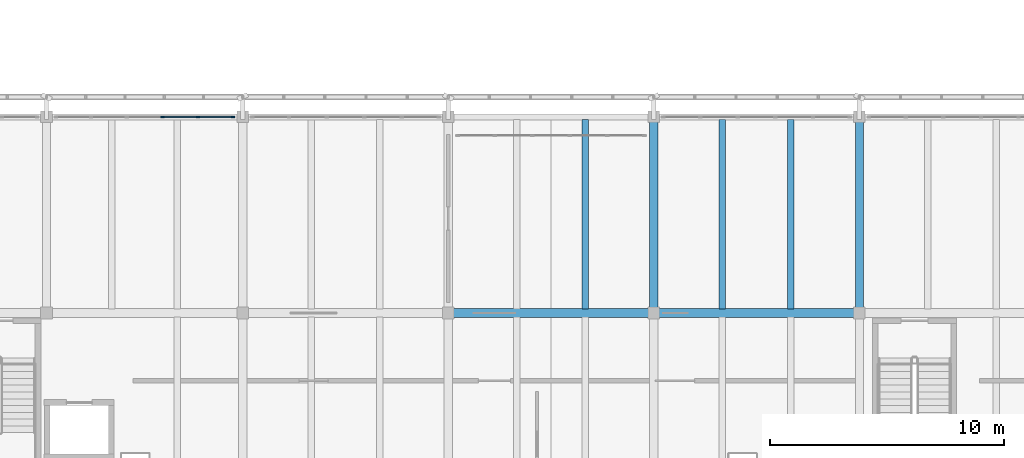
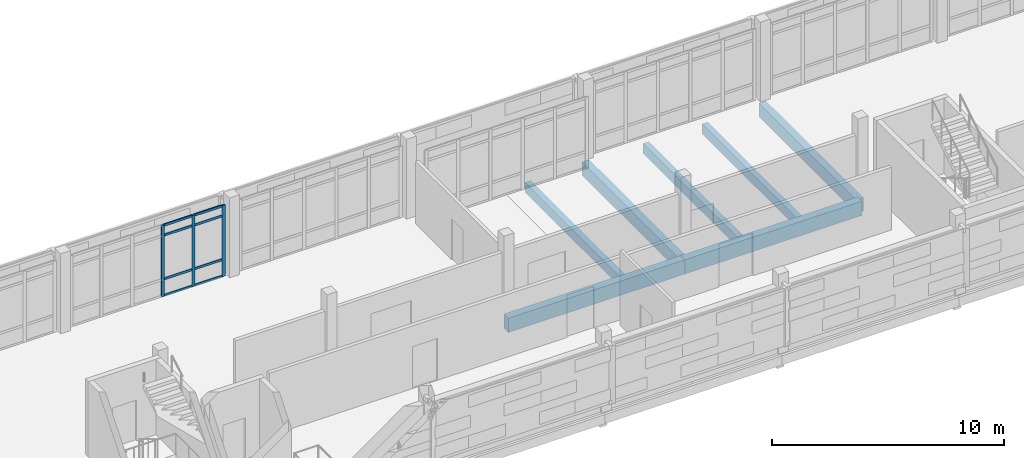
# One storey, part 28 of 137: 11 members, 7 beams, 1 element without a shape of its own.
"""IFC4 building model written with IfcOpenShell, lengths in metres."""

from ifc_helpers import new_model, si_unit, direction, frame, origin, origin_2d, place, context, subcontext, project, spatial, rectangle, extrude, material, material_profile, profile_set, type_object, element, aggregate, save


model = new_model("IFC4")

# Units and contexts
model_context = context("Model", 3, precision=1e-05, world=origin(), true_north=direction((0.0, 1.0)))
body_context = subcontext(model_context, "Body", "Model", "MODEL_VIEW")
ifc_project = project(units=[si_unit("LENGTHUNIT", "METRE"), si_unit("AREAUNIT", "SQUARE_METRE"), si_unit("VOLUMEUNIT", "CUBIC_METRE"), si_unit("PLANEANGLEUNIT", "RADIAN"), si_unit("MASSUNIT", "GRAM", prefix="KILO")], contexts=[model_context])

# Site, building, storey
site_placement = place(None, origin())
site = spatial("IfcSite", under=ifc_project, at=site_placement, CompositionType="ELEMENT")
building_placement = place(site_placement, origin())
building = spatial("IfcBuilding", under=site, at=building_placement, Name="Cinderway Yard Community Centre", CompositionType="ELEMENT")
storey_placement = place(building_placement, frame((0.0, 0.0, 4.800048828125)))
storey = spatial("IfcBuildingStorey", under=building, at=storey_placement, Name="L01", CompositionType="ELEMENT", Elevation=4.800048828125)

# Curtain wall, members
ifc_material_1 = material(Name="Aluminium 6063-T6", Category="aluminium")
curtain_wall_type = type_object("IfcCurtainWallType", Name="ENV-CW-TYPE-26", PredefinedType="USERDEFINED", material=ifc_material_1)
curtain_wall_placement = place(storey_placement, origin())
curtain_wall = element("IfcCurtainWall", 1, at=curtain_wall_placement, inside=storey, type_object=curtain_wall_type, Name="Dining Courtyard Curtain Wall ENV-CW-L01-ST-0094", ObjectType="GLAZED CURTAIN WALL", PredefinedType="USERDEFINED")
ifc_material_profile_1 = material_profile(ifc_material_1, rectangle(XDim=0.06005859375, YDim=0.159912109375, at=origin_2d()), Name="Aluminium 6063-T6")
ifc_profile_set_1 = profile_set([ifc_material_profile_1], Name="Aluminium 6063-T6")
member_type_1 = type_object("IfcMemberType", Name="ENV-CW-MULL-150", PredefinedType="MULLION", material=ifc_profile_set_1)
member_1_placement = place(storey_placement, frame((71.763916015625, 22.800048828125, 0.0), z_axis=(0.0, 0.0, 1.0), x_axis=(0.0, 1.0, 0.0)))
member_1 = element("IfcMember", 2, at=member_1_placement, type_object=member_type_1, Name="CW-26 mullion 4", PredefinedType="MULLION", context=body_context, shape_type="SweptSolid", body=[
    extrude(rectangle(XDim=0.06005859375, YDim=0.159912109375, at=origin_2d()), origin(), (0.0, 0.0, 1.0), 3.75),
])
member_2_placement = place(storey_placement, frame((73.2919921875, 22.800048828125, 0.0), z_axis=(0.0, 0.0, 1.0), x_axis=(0.0, 1.0, 0.0)))
member_2 = element("IfcMember", 3, at=member_2_placement, type_object=member_type_1, Name="CW-26 mullion 5", PredefinedType="MULLION", context=body_context, shape_type="SweptSolid", body=[
    extrude(rectangle(XDim=0.06005859375, YDim=0.159912109375, at=origin_2d()), origin(), (0.0, 0.0, 1.0), 3.75),
])
member_3_placement = place(storey_placement, frame((74.7900390625, 22.800048828125, 0.0), z_axis=(0.0, 0.0, 1.0), x_axis=(0.0, 1.0, 0.0)))
member_3 = element("IfcMember", 4, at=member_3_placement, type_object=member_type_1, Name="CW-26 mullion 6", PredefinedType="MULLION", context=body_context, shape_type="SweptSolid", body=[
    extrude(rectangle(XDim=0.06005859375, YDim=0.159912109375, at=origin_2d()), origin(), (0.0, 0.0, 1.0), 3.75),
])
ifc_material_profile_2 = material_profile(ifc_material_1, rectangle(XDim=0.06005859375, YDim=0.1201171875, at=origin_2d()), Name="Aluminium 6063-T6")
ifc_profile_set_2 = profile_set([ifc_material_profile_2], Name="Aluminium 6063-T6")
member_type_2 = type_object("IfcMemberType", Name="ENV-CW-TRAN-110", PredefinedType="USERDEFINED", material=ifc_profile_set_2)
member_4_placement = place(storey_placement, frame((71.7939453125, 22.800048828125, 0.030029296875), z_axis=(1.0, 0.0, 0.0), x_axis=(0.0, 1.0, 0.0)))
member_4 = element("IfcMember", 5, at=member_4_placement, type_object=member_type_2, Name="CW-26 transom 4.1", ObjectType="TRANSOM", PredefinedType="USERDEFINED", context=body_context, shape_type="SweptSolid", body=[
    extrude(rectangle(XDim=0.06005859375, YDim=0.1201171875, at=origin_2d()), origin(), (0.0, 0.0, 1.0), 1.468017578125),
])
member_5_placement = place(storey_placement, frame((71.7939453125, 22.800048828125, 0.89990234375), z_axis=(1.0, 0.0, 0.0), x_axis=(0.0, 1.0, 0.0)))
member_5 = element("IfcMember", 6, at=member_5_placement, type_object=member_type_2, Name="CW-26 transom 4.2", ObjectType="TRANSOM", PredefinedType="USERDEFINED", context=body_context, shape_type="SweptSolid", body=[
    extrude(rectangle(XDim=0.06005859375, YDim=0.1201171875, at=origin_2d()), origin(), (0.0, 0.0, 1.0), 1.468017578125),
])
member_6_placement = place(storey_placement, frame((71.7939453125, 22.800048828125, 3.199951171875), z_axis=(1.0, 0.0, 0.0), x_axis=(0.0, 1.0, 0.0)))
member_6 = element("IfcMember", 7, at=member_6_placement, type_object=member_type_2, Name="CW-26 transom 4.3", ObjectType="TRANSOM", PredefinedType="USERDEFINED", context=body_context, shape_type="SweptSolid", body=[
    extrude(rectangle(XDim=0.06005859375, YDim=0.1201171875, at=origin_2d()), origin(), (0.0, 0.0, 1.0), 1.468017578125),
])
member_7_placement = place(storey_placement, frame((71.7939453125, 22.800048828125, 3.719970703125), z_axis=(1.0, 0.0, 0.0), x_axis=(0.0, 1.0, 0.0)))
member_7 = element("IfcMember", 8, at=member_7_placement, type_object=member_type_2, Name="CW-26 transom 4.4", ObjectType="TRANSOM", PredefinedType="USERDEFINED", context=body_context, shape_type="SweptSolid", body=[
    extrude(rectangle(XDim=0.06005859375, YDim=0.1201171875, at=origin_2d()), origin(), (0.0, 0.0, 1.0), 1.468017578125),
])
member_8_placement = place(storey_placement, frame((73.322021484375, 22.800048828125, 0.030029296875), z_axis=(1.0, 0.0, 0.0), x_axis=(0.0, 1.0, 0.0)))
member_8 = element("IfcMember", 9, at=member_8_placement, type_object=member_type_2, Name="CW-26 transom 5.1", ObjectType="TRANSOM", PredefinedType="USERDEFINED", context=body_context, shape_type="SweptSolid", body=[
    extrude(rectangle(XDim=0.06005859375, YDim=0.1201171875, at=origin_2d()), origin(), (0.0, 0.0, 1.0), 1.43798828125),
])
member_9_placement = place(storey_placement, frame((73.322021484375, 22.800048828125, 0.89990234375), z_axis=(1.0, 0.0, 0.0), x_axis=(0.0, 1.0, 0.0)))
member_9 = element("IfcMember", 10, at=member_9_placement, type_object=member_type_2, Name="CW-26 transom 5.2", ObjectType="TRANSOM", PredefinedType="USERDEFINED", context=body_context, shape_type="SweptSolid", body=[
    extrude(rectangle(XDim=0.06005859375, YDim=0.1201171875, at=origin_2d()), origin(), (0.0, 0.0, 1.0), 1.43798828125),
])
member_10_placement = place(storey_placement, frame((73.322021484375, 22.800048828125, 3.199951171875), z_axis=(1.0, 0.0, 0.0), x_axis=(0.0, 1.0, 0.0)))
member_10 = element("IfcMember", 11, at=member_10_placement, type_object=member_type_2, Name="CW-26 transom 5.3", ObjectType="TRANSOM", PredefinedType="USERDEFINED", context=body_context, shape_type="SweptSolid", body=[
    extrude(rectangle(XDim=0.06005859375, YDim=0.1201171875, at=origin_2d()), origin(), (0.0, 0.0, 1.0), 1.43798828125),
])
member_11_placement = place(storey_placement, frame((73.322021484375, 22.800048828125, 3.719970703125), z_axis=(1.0, 0.0, 0.0), x_axis=(0.0, 1.0, 0.0)))
member_11 = element("IfcMember", 12, at=member_11_placement, type_object=member_type_2, Name="CW-26 transom 5.4", ObjectType="TRANSOM", PredefinedType="USERDEFINED", context=body_context, shape_type="SweptSolid", body=[
    extrude(rectangle(XDim=0.06005859375, YDim=0.1201171875, at=origin_2d()), origin(), (0.0, 0.0, 1.0), 1.43798828125),
])
aggregate(curtain_wall, [member_1, member_2, member_3, member_4, member_5, member_6, member_7, member_8, member_9, member_10, member_11])

# Beams
ifc_material_2 = material(Name="Concrete C35/45", Category="concrete")
ifc_material_profile_3 = material_profile(ifc_material_2, rectangle(XDim=0.280029296875, YDim=0.52001953125, at=origin_2d()), Name="Concrete C35/45")
ifc_profile_set_3 = profile_set([ifc_material_profile_3], Name="Concrete C35/45")
beam_type_1 = type_object("IfcBeamType", Name="STR-BM-RC280X520", PredefinedType="JOIST", material=ifc_profile_set_3)
for number, where, z_axis, x_axis, name in (
    (13, (89.866943359375, 14.572021484375, -0.5), (0.0, 1.0, 0.0), (-1.0, 0.0, 0.0), "Secondary joist STR-BM-L01-BJ04-0160"),
    (14, (95.73291015625, 14.572021484375, -0.5), (0.0, 1.0, 0.0), (-1.0, 0.0, 0.0), "Secondary joist STR-BM-L01-BJ04-0163"),
    (15, (98.6669921875, 14.572021484375, -0.5), (0.0, 1.0, 0.0), (-1.0, 0.0, 0.0), "Secondary joist STR-BM-L01-BJ04-0164"),
):
    element("IfcBeam", number, at=place(storey_placement, frame(where, z_axis=z_axis, x_axis=x_axis)), inside=storey, type_object=beam_type_1, Name=name, PredefinedType="JOIST", context=body_context, shape_type="SweptSolid", body=[
        extrude(rectangle(XDim=0.280029296875, YDim=0.52001953125, at=origin_2d()), origin(), (0.0, 0.0, 1.0), 8.115966796875),
    ])
ifc_material_profile_4 = material_profile(ifc_material_2, rectangle(XDim=0.35009765625, YDim=0.699951171875, at=origin_2d()), Name="Concrete C35/45")
ifc_profile_set_4 = profile_set([ifc_material_profile_4], Name="Concrete C35/45")
beam_type_2 = type_object("IfcBeamType", Name="STR-BM-RC350X700", PredefinedType="BEAM", material=ifc_profile_set_4)
for number, where, z_axis, x_axis, name in (
    (16, (92.800048828125, 14.39990234375, -0.590087890625), (0.0, 1.0, 0.0), (-1.0, 0.0, 0.0), "Transverse girder STR-BM-L01-BG07-0140"),
    (17, (101.60009765625, 14.39990234375, -0.590087890625), (0.0, 1.0, 0.0), (-1.0, 0.0, 0.0), "Transverse girder STR-BM-L01-BG07-0142"),
):
    element("IfcBeam", number, at=place(storey_placement, frame(where, z_axis=z_axis, x_axis=x_axis)), inside=storey, type_object=beam_type_2, Name=name, PredefinedType="BEAM", context=body_context, shape_type="SweptSolid", body=[
        extrude(rectangle(XDim=0.35009765625, YDim=0.699951171875, at=origin_2d()), origin(), (0.0, 0.0, 1.0), 8.400146484375),
    ])
ifc_material_profile_5 = material_profile(ifc_material_2, rectangle(XDim=0.3798828125, YDim=0.75, at=origin_2d()), Name="Concrete C35/45")
ifc_profile_set_5 = profile_set([ifc_material_profile_5], Name="Concrete C35/45")
beam_type_3 = type_object("IfcBeamType", Name="STR-BM-RC380X750", PredefinedType="BEAM", material=ifc_profile_set_5)
for number, where, z_axis, x_axis, name in (
    (18, (84.0, 14.39990234375, -0.614990234375), (1.0, 0.0, 0.0), (0.0, 1.0, 0.0), "Primary girder STR-BM-L01-BG06-0121"),
    (19, (92.800048828125, 14.39990234375, -0.614990234375), (1.0, 0.0, 0.0), (0.0, 1.0, 0.0), "Primary girder STR-BM-L01-BG06-0122"),
):
    element("IfcBeam", number, at=place(storey_placement, frame(where, z_axis=z_axis, x_axis=x_axis)), inside=storey, type_object=beam_type_3, Name=name, PredefinedType="BEAM", context=body_context, shape_type="SweptSolid", body=[
        extrude(rectangle(XDim=0.3798828125, YDim=0.75, at=origin_2d()), origin(), (0.0, 0.0, 1.0), 8.800048828125),
    ])

save(model, "model.ifc")
